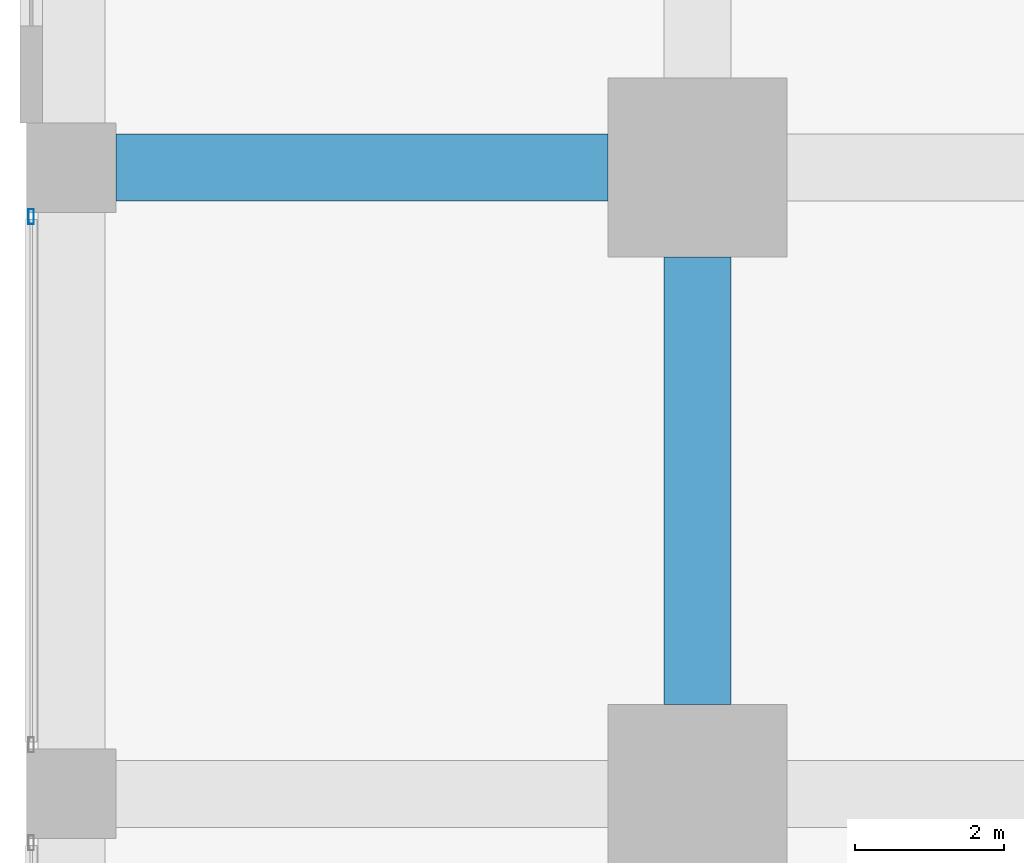
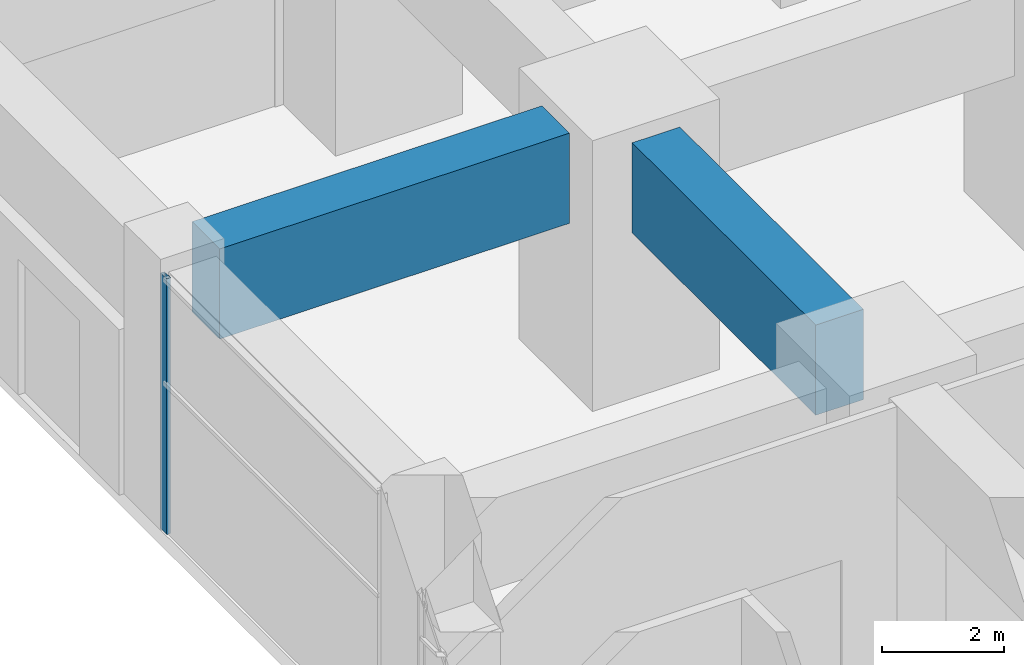
# One storey, part 20 of 81: 2 beams, 1 member, 1 element without a shape of its own.
"""IFC4 building model written with IfcOpenShell, lengths in metres."""

from ifc_helpers import new_model, si_unit, direction, frame, origin, origin_2d, place, context, subcontext, project, spatial, rectangle, hollow_rectangle, extrude, material, material_profile, profile_set, type_object, element, aggregate, save


model = new_model("IFC4")

# Units and contexts
model_context = context("Model", 3, precision=1e-05, world=origin(), true_north=direction((0.0, 1.0)))
body_context = subcontext(model_context, "Body", "Model", "MODEL_VIEW")
ifc_project = project(units=[si_unit("LENGTHUNIT", "METRE"), si_unit("AREAUNIT", "SQUARE_METRE"), si_unit("VOLUMEUNIT", "CUBIC_METRE"), si_unit("PLANEANGLEUNIT", "RADIAN"), si_unit("MASSUNIT", "GRAM", prefix="KILO")], contexts=[model_context])

# Site, building, storey
site_placement = place(None, origin())
site = spatial("IfcSite", under=ifc_project, at=site_placement, CompositionType="ELEMENT")
building_placement = place(site_placement, origin())
building = spatial("IfcBuilding", under=site, at=building_placement, Name="Rekha Terrace Tower", CompositionType="ELEMENT")
storey_placement = place(building_placement, origin())
storey = spatial("IfcBuildingStorey", under=building, at=storey_placement, Name="L00", CompositionType="ELEMENT", Elevation=0.0)

# Curtain wall, member
ifc_material_1 = material(Name="Aluminium framing", Category="aluminium")
curtain_wall_type = type_object("IfcCurtainWallType", Name="CW4 podium shopfront glazing", PredefinedType="USERDEFINED", material=ifc_material_1)
curtain_wall_placement = place(storey_placement, origin())
curtain_wall = element("IfcCurtainWall", 1, at=curtain_wall_placement, inside=storey, type_object=curtain_wall_type, Name="CW4 shopfront curtain wall", ObjectType="SHOPFRONT CURTAIN WALL", PredefinedType="USERDEFINED")
ifc_material_2 = material(Name="Aluminium mullion section", Category="aluminium")
ifc_material_profile_1 = material_profile(ifc_material_2, hollow_rectangle(XDim=0.074951171875, YDim=0.199951171875, WallThickness=0.00390625, at=origin_2d()), Name="AL RHS 75x200")
ifc_profile_set_1 = profile_set([ifc_material_profile_1], Name="Aluminium mullion section")
member_type = type_object("IfcMemberType", Name="CW4 mullion RHS 75 x 200", PredefinedType="MULLION", material=ifc_profile_set_1)
member_placement = place(storey_placement, frame((-0.5400390625, 49.742431640625, 0.0), z_axis=(0.0, 0.0, 1.0), x_axis=(1.0, 0.0, 0.0)))
member = element("IfcMember", 2, at=member_placement, type_object=member_type, Name="CW4 mullion 1", PredefinedType="MULLION", context=body_context, shape_type="SweptSolid", body=[
    extrude(hollow_rectangle(XDim=0.074951171875, YDim=0.199951171875, WallThickness=0.00390625, at=origin_2d()), origin(), (0.0, 0.0, 1.0), 5.10009765625),
])
aggregate(curtain_wall, [member])

# Beams
ifc_material_3 = material(Name="Concrete M60", Category="concrete")
ifc_material_profile_2 = material_profile(ifc_material_3, rectangle(XDim=0.89990234375, YDim=1.800048828125, at=origin_2d()), Name="RC 900x1800")
ifc_profile_set_2 = profile_set([ifc_material_profile_2], Name="Concrete M60")
beam_type = type_object("IfcBeamType", Name="G1 900x1800 podium floor beam", PredefinedType="BEAM", material=ifc_profile_set_2)
beam_1_placement = place(storey_placement, frame((0.60009765625, 50.39990234375, 4.199951171875), z_axis=(1.0, 0.0, 0.0), x_axis=(0.0, 1.0, 0.0)))
element("IfcBeam", 3, at=beam_1_placement, inside=storey, type_object=beam_type, Name="Beam G1 1G-2G under L01", PredefinedType="BEAM", context=body_context, shape_type="SweptSolid", body=[
    extrude(rectangle(XDim=0.89990234375, YDim=1.800048828125, at=origin_2d()), origin(), (0.0, 0.0, 1.0), 6.599853515625),
])
beam_2_placement = place(storey_placement, frame((8.39990234375, 43.199951171875, 4.199951171875), z_axis=(0.0, 1.0, 0.0), x_axis=(-1.0, 0.0, 0.0)))
element("IfcBeam", 4, at=beam_2_placement, inside=storey, type_object=beam_type, Name="Beam G1 2F-2G under L01", PredefinedType="BEAM", context=body_context, shape_type="SweptSolid", body=[
    extrude(rectangle(XDim=0.89990234375, YDim=1.800048828125, at=origin_2d()), origin(), (0.0, 0.0, 1.0), 6.0),
])

save(model, "model.ifc")
